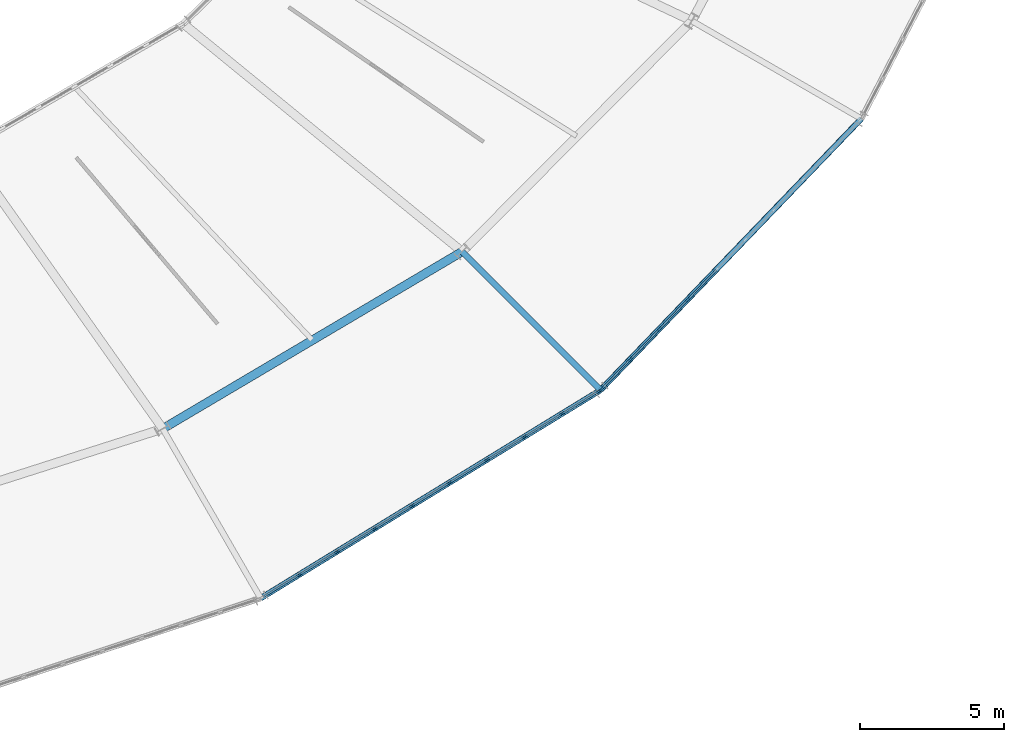
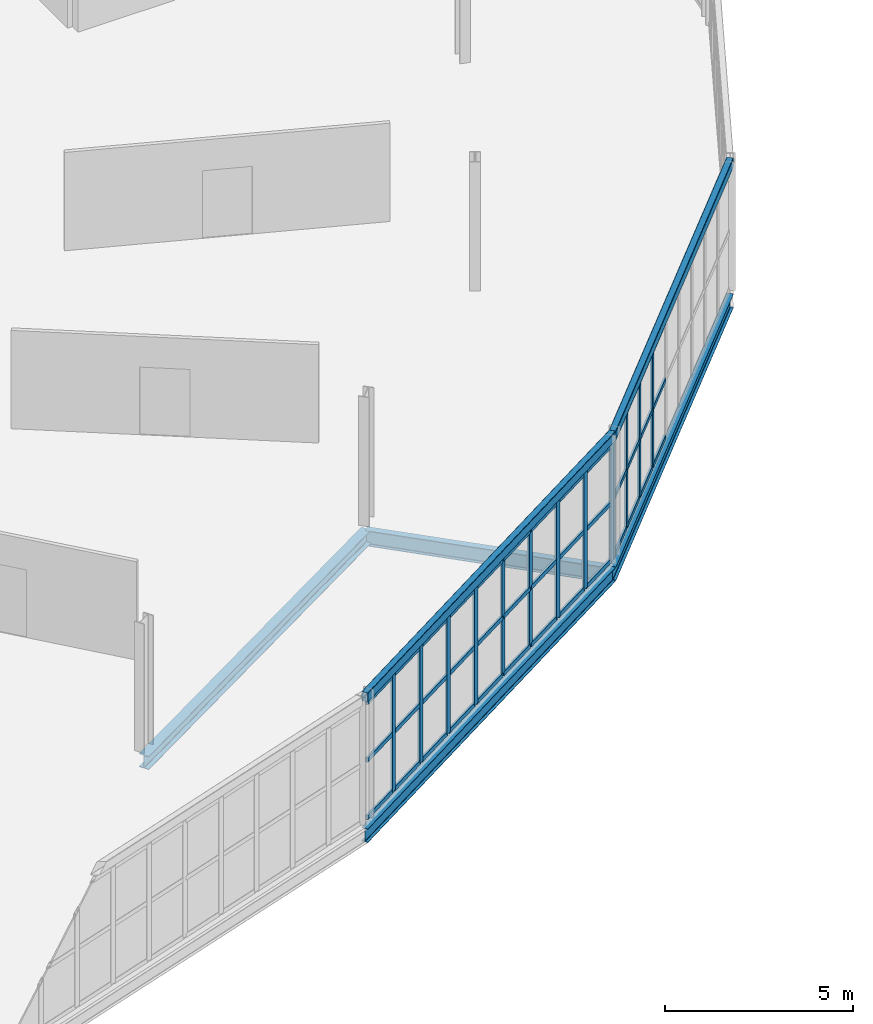
# One storey, part 73 of 161: 52 members, 6 beams, 2 elements without a shape of their own.
"""IFC4 building model written with IfcOpenShell, lengths in metres."""

import ifcopenshell
import ifcopenshell.guid

model = None  # the IFC model being written
_history = None  # IfcOwnerHistory: only IFC2X3 demands one
_inside = {}  # id of a spatial element -> (the spatial element, [elements in it])
_under = {}  # id of a project, library or spatial element -> (it, [spatial elements below it])
_declared = {}  # id of a project -> (the project, [libraries it declares])
_typed = {}  # id of a type object -> (the type object, [elements of that type])
_made_of = {}  # id of a material, layer set ... -> (it, [elements and type objects made of it])


def new_model(schema):
    """Start an empty IFC model of exactly this schema.

    Asked for "IFC4X3", IfcOpenShell would pick the latest addendum, in which some entities
    have other attributes; the version numbers below select the first issue.
    IFC2X3 requires an IfcOwnerHistory on every rooted entity: one is made here for all.
    """
    global model, _history
    if schema == "IFC4X3":
        model = ifcopenshell.file(schema_version=(4, 3, 0, 0))
    else:
        model = ifcopenshell.file(schema=schema)
    _inside.clear()
    _under.clear()
    _declared.clear()
    _typed.clear()
    _made_of.clear()
    _history = None
    if model.schema == "IFC2X3":
        org = make("IfcOrganization", Name="unknown")
        user = make(
            "IfcPersonAndOrganization",
            ThePerson=make("IfcPerson", FamilyName="unknown"),
            TheOrganization=org,
        )
        app = make(
            "IfcApplication",
            ApplicationDeveloper=org,
            Version="unknown",
            ApplicationFullName="unknown",
            ApplicationIdentifier="unknown",
        )
        _history = make(
            "IfcOwnerHistory",
            OwningUser=user,
            OwningApplication=app,
            ChangeAction="ADDED",
            CreationDate=0,
        )
    return model


def make(cls, **values):
    """One entity of the class cls with the attributes given. An attribute that is None is left unset."""
    return model.create_entity(
        cls, **{name: value for name, value in values.items() if value is not None}
    )


def rooted(cls, **values):
    """An entity with a GlobalId (a new one), such as an element, a storey or a relation."""
    return make(cls, GlobalId=ifcopenshell.guid.new(), OwnerHistory=_history, **values)


def si_unit(unit_type, name, prefix=None):
    """IfcSIUnit, for example si_unit("LENGTHUNIT", "METRE", prefix="MILLI")."""
    return make("IfcSIUnit", UnitType=unit_type, Prefix=prefix, Name=name)


def assignment(units):
    """IfcUnitAssignment: the units of a project."""
    return None if units is None else make("IfcUnitAssignment", Units=units)


def point(xyz):
    """IfcCartesianPoint."""
    return None if xyz is None else make("IfcCartesianPoint", Coordinates=xyz)


def direction(xyz):
    """IfcDirection."""
    return None if xyz is None else make("IfcDirection", DirectionRatios=xyz)


def frame(location, z_axis=None, x_axis=None):
    """IfcAxis2Placement3D, a coordinate frame: its origin and axes. An axis left out is left unset."""
    return make(
        "IfcAxis2Placement3D",
        Location=point(location),
        Axis=direction(z_axis),
        RefDirection=direction(x_axis),
    )


def frame_2d(location, x_axis=None):
    """IfcAxis2Placement2D, a coordinate frame in the plane: its origin and x axis."""
    return make(
        "IfcAxis2Placement2D", Location=point(location), RefDirection=direction(x_axis)
    )


def origin():
    """The frame at (0, 0, 0) with its axes left unset."""
    return frame((0.0, 0.0, 0.0))


def origin_2d():
    """The frame at (0, 0) in the plane with its x axis left unset."""
    return frame_2d((0.0, 0.0))


def place(relative_to, where):
    """IfcLocalPlacement: puts the frame where relative to a parent placement (None: the world)."""
    return make(
        "IfcLocalPlacement", PlacementRelTo=relative_to, RelativePlacement=where
    )


def context(
    kind, dimensions, precision=None, world=None, true_north=None, identifier=None
):
    """IfcGeometricRepresentationContext, for example the 3D "Model" context."""
    return make(
        "IfcGeometricRepresentationContext",
        ContextIdentifier=identifier,
        ContextType=kind,
        CoordinateSpaceDimension=dimensions,
        Precision=precision,
        WorldCoordinateSystem=world,
        TrueNorth=true_north,
    )


def subcontext(parent, identifier, kind, view, scale=None):
    """IfcGeometricRepresentationSubContext, for example "Body" below "Model"."""
    return make(
        "IfcGeometricRepresentationSubContext",
        ContextIdentifier=identifier,
        ContextType=kind,
        ParentContext=parent,
        TargetScale=scale,
        TargetView=view,
    )


def project(units=None, contexts=None):
    """IfcProject with its units and contexts."""
    return rooted(
        "IfcProject",
        Name="project",
        RepresentationContexts=contexts,
        UnitsInContext=assignment(units),
    )


def spatial(cls, under=None, at=None, **own):
    """A site, building, storey or space (cls), placed at a placement, below another one or the project."""
    s = rooted(cls, ObjectPlacement=at, **own)
    if under is not None:
        _under.setdefault(under.id(), (under, []))[1].append(s)
    return s


def profile(cls, at=None, kind="AREA", **sizes):
    """A parametric profile (cls). Its sizes go by their IFC names, for example OverallWidth=200.0."""
    return make(cls, ProfileType=kind, Position=at, **sizes)


def rectangle(**sizes):
    """IfcRectangleProfileDef."""
    return profile("IfcRectangleProfileDef", **sizes)


def hollow_rectangle(**sizes):
    """IfcRectangleHollowProfileDef."""
    return profile("IfcRectangleHollowProfileDef", **sizes)


def i_section(**sizes):
    """IfcIShapeProfileDef."""
    return profile("IfcIShapeProfileDef", **sizes)


def extrude(swept, where, along, depth):
    """IfcExtrudedAreaSolid: the profile swept, set in the frame where, extruded along a direction by depth."""
    return make(
        "IfcExtrudedAreaSolid",
        SweptArea=swept,
        Position=where,
        ExtrudedDirection=direction(along),
        Depth=depth,
    )


def shape(context_of_items, identifier, shape_type, items):
    """IfcShapeRepresentation: the items that make up one representation, for example the "Body"."""
    return make(
        "IfcShapeRepresentation",
        ContextOfItems=context_of_items,
        RepresentationIdentifier=identifier,
        RepresentationType=shape_type,
        Items=items,
    )


def material(Name=None, Category=None):
    """IfcMaterial."""
    return make("IfcMaterial", Name=Name, Category=Category)


def material_profile(
    of_material, cross_section, Name=None, Category=None, Priority=None
):
    """IfcMaterialProfile: a cross section and its material."""
    return make(
        "IfcMaterialProfile",
        Name=Name,
        Material=of_material,
        Profile=cross_section,
        Priority=Priority,
        Category=Category,
    )


def profile_set(profiles, Name=None, composite=None):
    """IfcMaterialProfileSet."""
    return make(
        "IfcMaterialProfileSet",
        Name=Name,
        MaterialProfiles=profiles,
        CompositeProfile=composite,
    )


def made_of(thing, what):
    """Note that an element or type object is made of a material, layer set ...; save() writes the relation."""
    if what is not None:
        _made_of.setdefault(what.id(), (what, []))[1].append(thing)
    return thing


def type_object(cls, material=None, **own):
    """A type object (cls), such as IfcWallType, which elements share."""
    return made_of(rooted(cls, **own), material)


def element(
    cls,
    number,
    at=None,
    inside=None,
    cuts=None,
    type_object=None,
    material=None,
    context=None,
    identifier="Body",
    shape_type=None,
    held_by="IfcProductDefinitionShape",
    body=None,
    shapes=None,
    **own,
):
    """One element of the class cls, such as IfcWall. Its Tag is "e" and its number.

    at: its placement. inside: the storey or other place that contains it. cuts: it is an
    opening in that element (IfcRelVoidsElement). A single representation is given by context,
    identifier, shape_type and body (its items); several are given by shapes. held_by: the class
    of the entity that holds the representations. save() writes the other relations.
    """
    e = rooted(cls, Tag="e%d" % number, ObjectPlacement=at, **own)
    if body is not None:
        shapes = [shape(context, identifier, shape_type, body)]
    if shapes is not None:
        e.Representation = make(held_by, Representations=shapes)
    if inside is not None:
        _inside.setdefault(inside.id(), (inside, []))[1].append(e)
    if cuts is not None:
        rooted(
            "IfcRelVoidsElement", RelatingBuildingElement=cuts, RelatedOpeningElement=e
        )
    if type_object is not None:
        _typed.setdefault(type_object.id(), (type_object, []))[1].append(e)
    return made_of(e, material)


def aggregate(whole, parts):
    """IfcRelAggregates: a whole, such as a stair, and the parts it consists of."""
    return rooted("IfcRelAggregates", RelatingObject=whole, RelatedObjects=parts)


def save(model, path):
    """Write the relations noted so far, then the file.

    IfcRelAggregates (storeys below a building ...), IfcRelContainedInSpatialStructure (elements
    in a storey), IfcRelDefinesByType, IfcRelAssociatesMaterial and IfcRelDeclares: one each for
    every whole, place, type object, material and project.
    """
    for whole, parts in _under.values():
        aggregate(whole, parts)
    for where, things in _inside.values():
        rooted(
            "IfcRelContainedInSpatialStructure",
            RelatedElements=things,
            RelatingStructure=where,
        )
    for kind, things in _typed.values():
        rooted("IfcRelDefinesByType", RelatedObjects=things, RelatingType=kind)
    for what, things in _made_of.values():
        rooted("IfcRelAssociatesMaterial", RelatedObjects=things, RelatingMaterial=what)
    for by, libraries in _declared.values():
        rooted("IfcRelDeclares", RelatingContext=by, RelatedDefinitions=libraries)
    model.write(path)


model = new_model("IFC4")

# Units and contexts
model_context = context("Model", 3, precision=1e-05, world=origin(), true_north=direction((0.0, 1.0)))
body_context = subcontext(model_context, "Body", "Model", "MODEL_VIEW")
ifc_project = project(units=[si_unit("LENGTHUNIT", "METRE"), si_unit("AREAUNIT", "SQUARE_METRE"), si_unit("VOLUMEUNIT", "CUBIC_METRE"), si_unit("PLANEANGLEUNIT", "RADIAN"), si_unit("MASSUNIT", "GRAM", prefix="KILO")], contexts=[model_context])

# Site, building, storey
site_placement = place(None, origin())
site = spatial("IfcSite", under=ifc_project, at=site_placement, CompositionType="ELEMENT")
building_placement = place(site_placement, origin())
building = spatial("IfcBuilding", under=site, at=building_placement, Name="Kildeholm Park Wholesale Market", CompositionType="ELEMENT")
storey_placement = place(building_placement, frame((0.0, 0.0, 5.39990234375)))
storey = spatial("IfcBuildingStorey", under=building, at=storey_placement, Name="L01", CompositionType="ELEMENT", Elevation=5.39990234375)

# Beams
ifc_material_1 = material(Name="Steel S355", Category="steel")
ifc_material_profile_1 = material_profile(ifc_material_1, i_section(OverallWidth=0.18994140625, OverallDepth=0.449951171875, WebThickness=0.009521484375, FlangeThickness=0.0146484375, FilletRadius=0.02099609375, at=origin_2d()), Name="IPE 450")
ifc_profile_set_1 = profile_set([ifc_material_profile_1], Name="Steel S355")
beam_type_1 = type_object("IfcBeamType", Name="Beam B-P02 IPE 450", PredefinedType="BEAM", material=ifc_profile_set_1)
beam_1_placement = place(storey_placement, frame((127.5, 50.095947265625, -0.474853515625), z_axis=(0.852740373682, 0.522335002745, 0.0), x_axis=(-0.522335002745, 0.852740373682, 0.0)))
element("IfcBeam", 1, at=beam_1_placement, inside=storey, type_object=beam_type_1, Name="Beam BM-V1-L01-CO-20 BM-0186", PredefinedType="BEAM", context=body_context, shape_type="SweptSolid", body=[
    extrude(i_section(OverallWidth=0.18994140625, OverallDepth=0.449951171875, WebThickness=0.009521484375, FlangeThickness=0.0146484375, FilletRadius=0.02099609375, at=origin_2d()), origin(), (0.0, 0.0, 1.0), 13.843505859375),
])
beam_2_placement = place(storey_placement, frame((139.304931640625, 57.326904296875, -0.474853515625), z_axis=(0.693006803532, 0.720931044039, 0.0), x_axis=(-0.720931044039, 0.693006803532, 0.0)))
element("IfcBeam", 2, at=beam_2_placement, inside=storey, type_object=beam_type_1, Name="Beam BM-V1-L01-CO-21 BM-0196", PredefinedType="BEAM", context=body_context, shape_type="SweptSolid", body=[
    extrude(i_section(OverallWidth=0.18994140625, OverallDepth=0.449951171875, WebThickness=0.009521484375, FlangeThickness=0.0146484375, FilletRadius=0.02099609375, at=origin_2d()), origin(), (0.0, 0.0, 1.0), 13.07080078125),
])
ifc_material_profile_2 = material_profile(ifc_material_1, i_section(OverallWidth=0.199951171875, OverallDepth=0.5, WebThickness=0.01025390625, FlangeThickness=0.01611328125, FilletRadius=0.02099609375, at=origin_2d()), Name="IPE 500")
ifc_profile_set_2 = profile_set([ifc_material_profile_2], Name="Steel S355")
beam_type_2 = type_object("IfcBeamType", Name="Beam B-P03 IPE 500", PredefinedType="BEAM", material=ifc_profile_set_2)
beam_3_placement = place(storey_placement, frame((134.4970703125, 62.135009765625, -0.5), z_axis=(0.707088828163, -0.707124733755, 0.0), x_axis=(0.707124733755, 0.707088828163, 0.0)))
element("IfcBeam", 3, at=beam_3_placement, inside=storey, type_object=beam_type_2, Name="Beam BM-V1-L01-R2-21 BM-0193", PredefinedType="BEAM", context=body_context, shape_type="SweptSolid", body=[
    extrude(i_section(OverallWidth=0.199951171875, OverallDepth=0.5, WebThickness=0.01025390625, FlangeThickness=0.01611328125, FilletRadius=0.02099609375, at=origin_2d()), origin(), (0.0, 0.0, 1.0), 6.799560546875),
])
ifc_material_profile_3 = material_profile(ifc_material_1, i_section(OverallWidth=0.300048828125, OverallDepth=0.43994140625, WebThickness=0.011474609375, FlangeThickness=0.02099609375, FilletRadius=0.027099609375, at=origin_2d()), Name="HEA 450")
ifc_profile_set_3 = profile_set([ifc_material_profile_3], Name="Steel S355")
beam_type_3 = type_object("IfcBeamType", Name="Beam B-R02 HEA 450", PredefinedType="BEAM", material=ifc_profile_set_3)
beam_4_placement = place(storey_placement, frame((124.10009765625, 55.985107421875, -0.469970703125), z_axis=(0.860700316594, 0.509111937609, 0.0), x_axis=(-0.509111937609, 0.860700316594, 0.0)))
element("IfcBeam", 4, at=beam_4_placement, inside=storey, type_object=beam_type_3, Name="Beam BM-V1-L01-CM-20 BM-0185", PredefinedType="BEAM", context=body_context, shape_type="SweptSolid", body=[
    extrude(i_section(OverallWidth=0.300048828125, OverallDepth=0.43994140625, WebThickness=0.011474609375, FlangeThickness=0.02099609375, FilletRadius=0.027099609375, at=origin_2d()), origin(), (0.0, 0.0, 1.0), 12.07958984375),
])
ifc_material_profile_4 = material_profile(ifc_material_1, hollow_rectangle(XDim=0.199951171875, YDim=0.300048828125, WallThickness=0.012451171875, InnerFilletRadius=0.012451171875, OuterFilletRadius=0.02490234375, at=origin_2d()), Name="RHS 300x200x12.5")
ifc_profile_set_4 = profile_set([ifc_material_profile_4], Name="Steel S355")
beam_type_4 = type_object("IfcBeamType", Name="Beam SP-01 RHS 300x200x12.5", PredefinedType="SPANDREL", material=ifc_profile_set_4)
beam_5_placement = place(storey_placement, frame((127.5, 50.095947265625, 4.022705078125), z_axis=(0.852740373682, 0.522335002745, 0.0), x_axis=(-0.522335002745, 0.852740373682, 0.0)))
element("IfcBeam", 5, at=beam_5_placement, inside=storey, type_object=beam_type_4, Name="Beam SP-V1-EAV-20 BM-0340", PredefinedType="SPANDREL", context=body_context, shape_type="SweptSolid", body=[
    extrude(hollow_rectangle(XDim=0.199951171875, YDim=0.300048828125, WallThickness=0.012451171875, InnerFilletRadius=0.012451171875, OuterFilletRadius=0.02490234375, at=origin_2d()), origin(), (0.0, 0.0, 1.0), 13.843505859375),
])
beam_6_placement = place(storey_placement, frame((139.304931640625, 57.326904296875, 4.022705078125), z_axis=(0.693006803532, 0.720931044039, 0.0), x_axis=(-0.720931044039, 0.693006803532, 0.0)))
element("IfcBeam", 6, at=beam_6_placement, inside=storey, type_object=beam_type_4, Name="Beam SP-V1-EAV-21 BM-0346", PredefinedType="SPANDREL", context=body_context, shape_type="SweptSolid", body=[
    extrude(hollow_rectangle(XDim=0.199951171875, YDim=0.300048828125, WallThickness=0.012451171875, InnerFilletRadius=0.012451171875, OuterFilletRadius=0.02490234375, at=origin_2d()), origin(), (0.0, 0.0, 1.0), 13.07080078125),
])

# Curtain wall, members
ifc_material_2 = material(Name="Anodised aluminium and low-E double-glazed glass", Category="aluminium")
curtain_wall_type = type_object("IfcCurtainWallType", Name="Market hall glazed arcade stick curtain wall CW-01", PredefinedType="NOTDEFINED", material=ifc_material_2)
curtain_wall_1_placement = place(storey_placement, origin())
curtain_wall_1 = element("IfcCurtainWall", 7, at=curtain_wall_1_placement, inside=storey, type_object=curtain_wall_type, Name="Curtain wall CW-V1-OT-20-1 CW-0099", PredefinedType="NOTDEFINED")
ifc_material_3 = material(Name="Anodised aluminium", Category="aluminium")
ifc_material_profile_5 = material_profile(ifc_material_3, rectangle(XDim=0.06494140625, YDim=0.179931640625, at=origin_2d()), Name="CWM 65x180")
ifc_profile_set_5 = profile_set([ifc_material_profile_5], Name="Anodised aluminium")
member_type_1 = type_object("IfcMemberType", Name="Curtain-wall mullion CWM-1 CWM 65x180", PredefinedType="MULLION", material=ifc_profile_set_5)
member_1_placement = place(storey_placement, frame((128.84130859375, 50.911865234375, 0.0), z_axis=(0.0, 0.0, 1.0), x_axis=(-0.522284342695, 0.852771402766, 0.0)))
member_1 = element("IfcMember", 8, at=member_1_placement, type_object=member_type_1, Name="CW-01 mullion 2 MEM-3125", PredefinedType="MULLION", context=body_context, shape_type="SweptSolid", body=[
    extrude(rectangle(XDim=0.06494140625, YDim=0.179931640625, at=origin_2d()), origin(), (0.0, 0.0, 1.0), 3.800048828125),
])
member_2_placement = place(storey_placement, frame((130.1455078125, 51.71044921875, 0.0), z_axis=(0.0, 0.0, 1.0), x_axis=(-0.522284342695, 0.852771402766, 0.0)))
member_2 = element("IfcMember", 9, at=member_2_placement, type_object=member_type_1, Name="CW-01 mullion 3 MEM-3126", PredefinedType="MULLION", context=body_context, shape_type="SweptSolid", body=[
    extrude(rectangle(XDim=0.06494140625, YDim=0.179931640625, at=origin_2d()), origin(), (0.0, 0.0, 1.0), 3.800048828125),
])
member_3_placement = place(storey_placement, frame((131.44970703125, 52.50927734375, 0.0), z_axis=(0.0, 0.0, 1.0), x_axis=(-0.522284342695, 0.852771402766, 0.0)))
member_3 = element("IfcMember", 10, at=member_3_placement, type_object=member_type_1, Name="CW-01 mullion 4 MEM-3127", PredefinedType="MULLION", context=body_context, shape_type="SweptSolid", body=[
    extrude(rectangle(XDim=0.06494140625, YDim=0.179931640625, at=origin_2d()), origin(), (0.0, 0.0, 1.0), 3.800048828125),
])
member_4_placement = place(storey_placement, frame((132.75390625, 53.30810546875, 0.0), z_axis=(0.0, 0.0, 1.0), x_axis=(-0.522284342695, 0.852771402766, 0.0)))
member_4 = element("IfcMember", 11, at=member_4_placement, type_object=member_type_1, Name="CW-01 mullion 5 MEM-3128", PredefinedType="MULLION", context=body_context, shape_type="SweptSolid", body=[
    extrude(rectangle(XDim=0.06494140625, YDim=0.179931640625, at=origin_2d()), origin(), (0.0, 0.0, 1.0), 3.800048828125),
])
member_5_placement = place(storey_placement, frame((134.05810546875, 54.10693359375, 0.0), z_axis=(0.0, 0.0, 1.0), x_axis=(-0.522284342695, 0.852771402766, 0.0)))
member_5 = element("IfcMember", 12, at=member_5_placement, type_object=member_type_1, Name="CW-01 mullion 6 MEM-3129", PredefinedType="MULLION", context=body_context, shape_type="SweptSolid", body=[
    extrude(rectangle(XDim=0.06494140625, YDim=0.179931640625, at=origin_2d()), origin(), (0.0, 0.0, 1.0), 3.800048828125),
])
member_6_placement = place(storey_placement, frame((135.3623046875, 54.90576171875, 0.0), z_axis=(0.0, 0.0, 1.0), x_axis=(-0.522284342695, 0.852771402766, 0.0)))
member_6 = element("IfcMember", 13, at=member_6_placement, type_object=member_type_1, Name="CW-01 mullion 7 MEM-3130", PredefinedType="MULLION", context=body_context, shape_type="SweptSolid", body=[
    extrude(rectangle(XDim=0.06494140625, YDim=0.179931640625, at=origin_2d()), origin(), (0.0, 0.0, 1.0), 3.800048828125),
])
member_7_placement = place(storey_placement, frame((136.66650390625, 55.704345703125, 0.0), z_axis=(0.0, 0.0, 1.0), x_axis=(-0.522284342695, 0.852771402766, 0.0)))
member_7 = element("IfcMember", 14, at=member_7_placement, type_object=member_type_1, Name="CW-01 mullion 8 MEM-3131", PredefinedType="MULLION", context=body_context, shape_type="SweptSolid", body=[
    extrude(rectangle(XDim=0.06494140625, YDim=0.179931640625, at=origin_2d()), origin(), (0.0, 0.0, 1.0), 3.800048828125),
])
member_8_placement = place(storey_placement, frame((137.970703125, 56.503173828125, 0.0), z_axis=(0.0, 0.0, 1.0), x_axis=(-0.522284342695, 0.852771402766, 0.0)))
member_8 = element("IfcMember", 15, at=member_8_placement, type_object=member_type_1, Name="CW-01 mullion 9 MEM-3132", PredefinedType="MULLION", context=body_context, shape_type="SweptSolid", body=[
    extrude(rectangle(XDim=0.06494140625, YDim=0.179931640625, at=origin_2d()), origin(), (0.0, 0.0, 1.0), 3.800048828125),
])
member_9_placement = place(storey_placement, frame((139.247314453125, 57.284912109375, 0.0), z_axis=(0.0, 0.0, 1.0), x_axis=(-0.522284342695, 0.852771402766, 0.0)))
member_9 = element("IfcMember", 16, at=member_9_placement, type_object=member_type_1, Name="CW-01 mullion 10 MEM-3133", PredefinedType="MULLION", context=body_context, shape_type="SweptSolid", body=[
    extrude(rectangle(XDim=0.06494140625, YDim=0.179931640625, at=origin_2d()), origin(), (0.0, 0.0, 1.0), 3.800048828125),
])

curtain_wall_2_placement = place(storey_placement, origin())
curtain_wall_2 = element("IfcCurtainWall", 17, at=curtain_wall_2_placement, inside=storey, type_object=curtain_wall_type, Name="Curtain wall CW-V1-OT-21-1 CW-0104", PredefinedType="NOTDEFINED")
member_10_placement = place(storey_placement, frame((139.359619140625, 57.37548828125, 0.0), z_axis=(0.0, 0.0, 1.0), x_axis=(-0.720901097951, 0.69303795493, 0.0)))
member_10 = element("IfcMember", 18, at=member_10_placement, type_object=member_type_1, Name="CW-01 mullion 1 MEM-3269", PredefinedType="MULLION", context=body_context, shape_type="SweptSolid", body=[
    extrude(rectangle(XDim=0.06494140625, YDim=0.179931640625, at=origin_2d()), origin(), (0.0, 0.0, 1.0), 3.800048828125),
])
member_11_placement = place(storey_placement, frame((140.33740234375, 58.392578125, 0.0), z_axis=(0.0, 0.0, 1.0), x_axis=(-0.720901097951, 0.69303795493, 0.0)))
member_11 = element("IfcMember", 19, at=member_11_placement, type_object=member_type_1, Name="CW-01 mullion 2 MEM-3270", PredefinedType="MULLION", context=body_context, shape_type="SweptSolid", body=[
    extrude(rectangle(XDim=0.06494140625, YDim=0.179931640625, at=origin_2d()), origin(), (0.0, 0.0, 1.0), 3.800048828125),
])
member_12_placement = place(storey_placement, frame((141.337890625, 59.433349609375, 0.0), z_axis=(0.0, 0.0, 1.0), x_axis=(-0.720901097951, 0.69303795493, 0.0)))
member_12 = element("IfcMember", 20, at=member_12_placement, type_object=member_type_1, Name="CW-01 mullion 3 MEM-3271", PredefinedType="MULLION", context=body_context, shape_type="SweptSolid", body=[
    extrude(rectangle(XDim=0.06494140625, YDim=0.179931640625, at=origin_2d()), origin(), (0.0, 0.0, 1.0), 3.800048828125),
])
member_13_placement = place(storey_placement, frame((142.33837890625, 60.47412109375, 0.0), z_axis=(0.0, 0.0, 1.0), x_axis=(-0.720901097951, 0.69303795493, 0.0)))
member_13 = element("IfcMember", 21, at=member_13_placement, type_object=member_type_1, Name="CW-01 mullion 4 MEM-3272", PredefinedType="MULLION", context=body_context, shape_type="SweptSolid", body=[
    extrude(rectangle(XDim=0.06494140625, YDim=0.179931640625, at=origin_2d()), origin(), (0.0, 0.0, 1.0), 3.800048828125),
])

# Member
ifc_material_profile_6 = material_profile(ifc_material_3, rectangle(XDim=0.06494140625, YDim=0.139892578125, at=origin_2d()), Name="CWT 65x140")
ifc_profile_set_6 = profile_set([ifc_material_profile_6], Name="Anodised aluminium")
member_type_2 = type_object("IfcMemberType", Name="Curtain-wall transom CWT-1 CWT 65x140", PredefinedType="USERDEFINED", material=ifc_profile_set_6)
member_14_placement = place(storey_placement, frame((127.592529296875, 50.14697265625, 0.03271484375), z_axis=(0.85276295906, 0.522298129094, 0.0), x_axis=(-0.522298129094, 0.85276295906, 0.0)))
member_14 = element("IfcMember", 22, at=member_14_placement, type_object=member_type_2, Name="CW-01 transom 1.1 MEM-3134", ObjectType="TRANSOM", PredefinedType="USERDEFINED", context=body_context, shape_type="SweptSolid", body=[
    extrude(rectangle(XDim=0.06494140625, YDim=0.139892578125, at=origin_2d()), origin(), (0.0, 0.0, 1.0), 1.431640625),
])

member_15_placement = place(storey_placement, frame((127.592529296875, 50.14697265625, 1.900146484375), z_axis=(0.85276295906, 0.522298129094, 0.0), x_axis=(-0.522298129094, 0.85276295906, 0.0)))
member_15 = element("IfcMember", 23, at=member_15_placement, type_object=member_type_2, Name="CW-01 transom 1.2 MEM-3135", ObjectType="TRANSOM", PredefinedType="USERDEFINED", context=body_context, shape_type="SweptSolid", body=[
    extrude(rectangle(XDim=0.06494140625, YDim=0.139892578125, at=origin_2d()), origin(), (0.0, 0.0, 1.0), 1.431640625),
])

member_16_placement = place(storey_placement, frame((127.592529296875, 50.14697265625, 3.767578125), z_axis=(0.85276295906, 0.522298129094, 0.0), x_axis=(-0.522298129094, 0.85276295906, 0.0)))
member_16 = element("IfcMember", 24, at=member_16_placement, type_object=member_type_2, Name="CW-01 transom 1.3 MEM-3136", ObjectType="TRANSOM", PredefinedType="USERDEFINED", context=body_context, shape_type="SweptSolid", body=[
    extrude(rectangle(XDim=0.06494140625, YDim=0.139892578125, at=origin_2d()), origin(), (0.0, 0.0, 1.0), 1.431640625),
])

member_17_placement = place(storey_placement, frame((128.868896484375, 50.9287109375, 0.03271484375), z_axis=(0.852749773826, 0.522319656187, 0.0), x_axis=(-0.522319656187, 0.852749773826, 0.0)))
member_17 = element("IfcMember", 25, at=member_17_placement, type_object=member_type_2, Name="CW-01 transom 2.1 MEM-3137", ObjectType="TRANSOM", PredefinedType="USERDEFINED", context=body_context, shape_type="SweptSolid", body=[
    extrude(rectangle(XDim=0.06494140625, YDim=0.139892578125, at=origin_2d()), origin(), (0.0, 0.0, 1.0), 1.46435546875),
])

member_18_placement = place(storey_placement, frame((128.868896484375, 50.9287109375, 1.900146484375), z_axis=(0.852749773826, 0.522319656187, 0.0), x_axis=(-0.522319656187, 0.852749773826, 0.0)))
member_18 = element("IfcMember", 26, at=member_18_placement, type_object=member_type_2, Name="CW-01 transom 2.2 MEM-3138", ObjectType="TRANSOM", PredefinedType="USERDEFINED", context=body_context, shape_type="SweptSolid", body=[
    extrude(rectangle(XDim=0.06494140625, YDim=0.139892578125, at=origin_2d()), origin(), (0.0, 0.0, 1.0), 1.46435546875),
])

member_19_placement = place(storey_placement, frame((128.868896484375, 50.9287109375, 3.767578125), z_axis=(0.852749773826, 0.522319656187, 0.0), x_axis=(-0.522319656187, 0.852749773826, 0.0)))
member_19 = element("IfcMember", 27, at=member_19_placement, type_object=member_type_2, Name="CW-01 transom 2.3 MEM-3139", ObjectType="TRANSOM", PredefinedType="USERDEFINED", context=body_context, shape_type="SweptSolid", body=[
    extrude(rectangle(XDim=0.06494140625, YDim=0.139892578125, at=origin_2d()), origin(), (0.0, 0.0, 1.0), 1.46435546875),
])

member_20_placement = place(storey_placement, frame((130.173095703125, 51.7275390625, 0.03271484375), z_axis=(0.852749773826, 0.522319656187, 0.0), x_axis=(-0.522319656187, 0.852749773826, 0.0)))
member_20 = element("IfcMember", 28, at=member_20_placement, type_object=member_type_2, Name="CW-01 transom 3.1 MEM-3140", ObjectType="TRANSOM", PredefinedType="USERDEFINED", context=body_context, shape_type="SweptSolid", body=[
    extrude(rectangle(XDim=0.06494140625, YDim=0.139892578125, at=origin_2d()), origin(), (0.0, 0.0, 1.0), 1.46435546875),
])

member_21_placement = place(storey_placement, frame((130.173095703125, 51.7275390625, 1.900146484375), z_axis=(0.852749773826, 0.522319656187, 0.0), x_axis=(-0.522319656187, 0.852749773826, 0.0)))
member_21 = element("IfcMember", 29, at=member_21_placement, type_object=member_type_2, Name="CW-01 transom 3.2 MEM-3141", ObjectType="TRANSOM", PredefinedType="USERDEFINED", context=body_context, shape_type="SweptSolid", body=[
    extrude(rectangle(XDim=0.06494140625, YDim=0.139892578125, at=origin_2d()), origin(), (0.0, 0.0, 1.0), 1.46435546875),
])

member_22_placement = place(storey_placement, frame((130.173095703125, 51.7275390625, 3.767578125), z_axis=(0.852749773826, 0.522319656187, 0.0), x_axis=(-0.522319656187, 0.852749773826, 0.0)))
member_22 = element("IfcMember", 30, at=member_22_placement, type_object=member_type_2, Name="CW-01 transom 3.3 MEM-3142", ObjectType="TRANSOM", PredefinedType="USERDEFINED", context=body_context, shape_type="SweptSolid", body=[
    extrude(rectangle(XDim=0.06494140625, YDim=0.139892578125, at=origin_2d()), origin(), (0.0, 0.0, 1.0), 1.46435546875),
])

member_23_placement = place(storey_placement, frame((131.477294921875, 52.5263671875, 0.03271484375), z_axis=(0.852824028084, 0.522198407812, 0.0), x_axis=(-0.522198407812, 0.852824028084, 0.0)))
member_23 = element("IfcMember", 31, at=member_23_placement, type_object=member_type_2, Name="CW-01 transom 4.1 MEM-3143", ObjectType="TRANSOM", PredefinedType="USERDEFINED", context=body_context, shape_type="SweptSolid", body=[
    extrude(rectangle(XDim=0.06494140625, YDim=0.139892578125, at=origin_2d()), origin(), (0.0, 0.0, 1.0), 1.46435546875),
])

member_24_placement = place(storey_placement, frame((131.477294921875, 52.5263671875, 1.900146484375), z_axis=(0.852824028084, 0.522198407812, 0.0), x_axis=(-0.522198407812, 0.852824028084, 0.0)))
member_24 = element("IfcMember", 32, at=member_24_placement, type_object=member_type_2, Name="CW-01 transom 4.2 MEM-3144", ObjectType="TRANSOM", PredefinedType="USERDEFINED", context=body_context, shape_type="SweptSolid", body=[
    extrude(rectangle(XDim=0.06494140625, YDim=0.139892578125, at=origin_2d()), origin(), (0.0, 0.0, 1.0), 1.46435546875),
])

member_25_placement = place(storey_placement, frame((131.477294921875, 52.5263671875, 3.767578125), z_axis=(0.852824028084, 0.522198407812, 0.0), x_axis=(-0.522198407812, 0.852824028084, 0.0)))
member_25 = element("IfcMember", 33, at=member_25_placement, type_object=member_type_2, Name="CW-01 transom 4.3 MEM-3145", ObjectType="TRANSOM", PredefinedType="USERDEFINED", context=body_context, shape_type="SweptSolid", body=[
    extrude(rectangle(XDim=0.06494140625, YDim=0.139892578125, at=origin_2d()), origin(), (0.0, 0.0, 1.0), 1.46435546875),
])

member_26_placement = place(storey_placement, frame((132.781494140625, 53.3251953125, 0.03271484375), z_axis=(0.852869484193, 0.522124164287, 0.0), x_axis=(-0.522124164287, 0.852869484193, 0.0)))
member_26 = element("IfcMember", 34, at=member_26_placement, type_object=member_type_2, Name="CW-01 transom 5.1 MEM-3146", ObjectType="TRANSOM", PredefinedType="USERDEFINED", context=body_context, shape_type="SweptSolid", body=[
    extrude(rectangle(XDim=0.06494140625, YDim=0.139892578125, at=origin_2d()), origin(), (0.0, 0.0, 1.0), 1.464599609375),
])

member_27_placement = place(storey_placement, frame((132.781494140625, 53.3251953125, 1.900146484375), z_axis=(0.852869484193, 0.522124164287, 0.0), x_axis=(-0.522124164287, 0.852869484193, 0.0)))
member_27 = element("IfcMember", 35, at=member_27_placement, type_object=member_type_2, Name="CW-01 transom 5.2 MEM-3147", ObjectType="TRANSOM", PredefinedType="USERDEFINED", context=body_context, shape_type="SweptSolid", body=[
    extrude(rectangle(XDim=0.06494140625, YDim=0.139892578125, at=origin_2d()), origin(), (0.0, 0.0, 1.0), 1.464599609375),
])

member_28_placement = place(storey_placement, frame((132.781494140625, 53.3251953125, 3.767578125), z_axis=(0.852869484193, 0.522124164287, 0.0), x_axis=(-0.522124164287, 0.852869484193, 0.0)))
member_28 = element("IfcMember", 36, at=member_28_placement, type_object=member_type_2, Name="CW-01 transom 5.3 MEM-3148", ObjectType="TRANSOM", PredefinedType="USERDEFINED", context=body_context, shape_type="SweptSolid", body=[
    extrude(rectangle(XDim=0.06494140625, YDim=0.139892578125, at=origin_2d()), origin(), (0.0, 0.0, 1.0), 1.464599609375),
])

member_29_placement = place(storey_placement, frame((134.0859375, 54.123779296875, 0.03271484375), z_axis=(0.852749773826, 0.522319656187, 0.0), x_axis=(-0.522319656187, 0.852749773826, 0.0)))
member_29 = element("IfcMember", 37, at=member_29_placement, type_object=member_type_2, Name="CW-01 transom 6.1 MEM-3149", ObjectType="TRANSOM", PredefinedType="USERDEFINED", context=body_context, shape_type="SweptSolid", body=[
    extrude(rectangle(XDim=0.06494140625, YDim=0.139892578125, at=origin_2d()), origin(), (0.0, 0.0, 1.0), 1.46435546875),
])

member_30_placement = place(storey_placement, frame((134.0859375, 54.123779296875, 1.900146484375), z_axis=(0.852749773826, 0.522319656187, 0.0), x_axis=(-0.522319656187, 0.852749773826, 0.0)))
member_30 = element("IfcMember", 38, at=member_30_placement, type_object=member_type_2, Name="CW-01 transom 6.2 MEM-3150", ObjectType="TRANSOM", PredefinedType="USERDEFINED", context=body_context, shape_type="SweptSolid", body=[
    extrude(rectangle(XDim=0.06494140625, YDim=0.139892578125, at=origin_2d()), origin(), (0.0, 0.0, 1.0), 1.46435546875),
])

member_31_placement = place(storey_placement, frame((134.0859375, 54.123779296875, 3.767578125), z_axis=(0.852749773826, 0.522319656187, 0.0), x_axis=(-0.522319656187, 0.852749773826, 0.0)))
member_31 = element("IfcMember", 39, at=member_31_placement, type_object=member_type_2, Name="CW-01 transom 6.3 MEM-3151", ObjectType="TRANSOM", PredefinedType="USERDEFINED", context=body_context, shape_type="SweptSolid", body=[
    extrude(rectangle(XDim=0.06494140625, YDim=0.139892578125, at=origin_2d()), origin(), (0.0, 0.0, 1.0), 1.46435546875),
])

member_32_placement = place(storey_placement, frame((135.39013671875, 54.922607421875, 0.03271484375), z_axis=(0.852749773826, 0.522319656187, 0.0), x_axis=(-0.522319656187, 0.852749773826, 0.0)))
member_32 = element("IfcMember", 40, at=member_32_placement, type_object=member_type_2, Name="CW-01 transom 7.1 MEM-3152", ObjectType="TRANSOM", PredefinedType="USERDEFINED", context=body_context, shape_type="SweptSolid", body=[
    extrude(rectangle(XDim=0.06494140625, YDim=0.139892578125, at=origin_2d()), origin(), (0.0, 0.0, 1.0), 1.46435546875),
])

member_33_placement = place(storey_placement, frame((135.39013671875, 54.922607421875, 1.900146484375), z_axis=(0.852749773826, 0.522319656187, 0.0), x_axis=(-0.522319656187, 0.852749773826, 0.0)))
member_33 = element("IfcMember", 41, at=member_33_placement, type_object=member_type_2, Name="CW-01 transom 7.2 MEM-3153", ObjectType="TRANSOM", PredefinedType="USERDEFINED", context=body_context, shape_type="SweptSolid", body=[
    extrude(rectangle(XDim=0.06494140625, YDim=0.139892578125, at=origin_2d()), origin(), (0.0, 0.0, 1.0), 1.46435546875),
])

member_34_placement = place(storey_placement, frame((135.39013671875, 54.922607421875, 3.767578125), z_axis=(0.852749773826, 0.522319656187, 0.0), x_axis=(-0.522319656187, 0.852749773826, 0.0)))
member_34 = element("IfcMember", 42, at=member_34_placement, type_object=member_type_2, Name="CW-01 transom 7.3 MEM-3154", ObjectType="TRANSOM", PredefinedType="USERDEFINED", context=body_context, shape_type="SweptSolid", body=[
    extrude(rectangle(XDim=0.06494140625, YDim=0.139892578125, at=origin_2d()), origin(), (0.0, 0.0, 1.0), 1.46435546875),
])

member_35_placement = place(storey_placement, frame((136.6943359375, 55.721435546875, 0.03271484375), z_axis=(0.852749773826, 0.522319656187, 0.0), x_axis=(-0.522319656187, 0.852749773826, 0.0)))
member_35 = element("IfcMember", 43, at=member_35_placement, type_object=member_type_2, Name="CW-01 transom 8.1 MEM-3155", ObjectType="TRANSOM", PredefinedType="USERDEFINED", context=body_context, shape_type="SweptSolid", body=[
    extrude(rectangle(XDim=0.06494140625, YDim=0.139892578125, at=origin_2d()), origin(), (0.0, 0.0, 1.0), 1.46435546875),
])

member_36_placement = place(storey_placement, frame((136.6943359375, 55.721435546875, 1.900146484375), z_axis=(0.852749773826, 0.522319656187, 0.0), x_axis=(-0.522319656187, 0.852749773826, 0.0)))
member_36 = element("IfcMember", 44, at=member_36_placement, type_object=member_type_2, Name="CW-01 transom 8.2 MEM-3156", ObjectType="TRANSOM", PredefinedType="USERDEFINED", context=body_context, shape_type="SweptSolid", body=[
    extrude(rectangle(XDim=0.06494140625, YDim=0.139892578125, at=origin_2d()), origin(), (0.0, 0.0, 1.0), 1.46435546875),
])

member_37_placement = place(storey_placement, frame((136.6943359375, 55.721435546875, 3.767578125), z_axis=(0.852749773826, 0.522319656187, 0.0), x_axis=(-0.522319656187, 0.852749773826, 0.0)))
member_37 = element("IfcMember", 45, at=member_37_placement, type_object=member_type_2, Name="CW-01 transom 8.3 MEM-3157", ObjectType="TRANSOM", PredefinedType="USERDEFINED", context=body_context, shape_type="SweptSolid", body=[
    extrude(rectangle(XDim=0.06494140625, YDim=0.139892578125, at=origin_2d()), origin(), (0.0, 0.0, 1.0), 1.46435546875),
])

member_38_placement = place(storey_placement, frame((137.99853515625, 56.520263671875, 0.03271484375), z_axis=(0.85276295906, 0.522298129094, 0.0), x_axis=(-0.522298129094, 0.85276295906, 0.0)))
member_38 = element("IfcMember", 46, at=member_38_placement, type_object=member_type_2, Name="CW-01 transom 9.1 MEM-3158", ObjectType="TRANSOM", PredefinedType="USERDEFINED", context=body_context, shape_type="SweptSolid", body=[
    extrude(rectangle(XDim=0.06494140625, YDim=0.139892578125, at=origin_2d()), origin(), (0.0, 0.0, 1.0), 1.431640625),
])

member_39_placement = place(storey_placement, frame((137.99853515625, 56.520263671875, 1.900146484375), z_axis=(0.85276295906, 0.522298129094, 0.0), x_axis=(-0.522298129094, 0.85276295906, 0.0)))
member_39 = element("IfcMember", 47, at=member_39_placement, type_object=member_type_2, Name="CW-01 transom 9.2 MEM-3159", ObjectType="TRANSOM", PredefinedType="USERDEFINED", context=body_context, shape_type="SweptSolid", body=[
    extrude(rectangle(XDim=0.06494140625, YDim=0.139892578125, at=origin_2d()), origin(), (0.0, 0.0, 1.0), 1.431640625),
])

member_40_placement = place(storey_placement, frame((137.99853515625, 56.520263671875, 3.767578125), z_axis=(0.85276295906, 0.522298129094, 0.0), x_axis=(-0.522298129094, 0.85276295906, 0.0)))
member_40 = element("IfcMember", 48, at=member_40_placement, type_object=member_type_2, Name="CW-01 transom 9.3 MEM-3160", ObjectType="TRANSOM", PredefinedType="USERDEFINED", context=body_context, shape_type="SweptSolid", body=[
    extrude(rectangle(XDim=0.06494140625, YDim=0.139892578125, at=origin_2d()), origin(), (0.0, 0.0, 1.0), 1.431640625),
])

aggregate(curtain_wall_1, [member_1, member_2, member_3, member_4, member_5, member_6, member_7, member_8, member_9, member_14, member_15, member_16, member_17, member_18, member_19, member_20, member_21, member_22, member_23, member_24, member_25, member_26, member_27, member_28, member_29, member_30, member_31, member_32, member_33, member_34, member_35, member_36, member_37, member_38, member_39, member_40])

member_41_placement = place(storey_placement, frame((139.382080078125, 57.39892578125, 0.03271484375), z_axis=(0.693094216002, 0.720847007169, 0.0), x_axis=(-0.720847007169, 0.693094216002, 0.0)))
member_41 = element("IfcMember", 49, at=member_41_placement, type_object=member_type_2, Name="CW-01 transom 1.1 MEM-3279", ObjectType="TRANSOM", PredefinedType="USERDEFINED", context=body_context, shape_type="SweptSolid", body=[
    extrude(rectangle(XDim=0.06494140625, YDim=0.139892578125, at=origin_2d()), origin(), (0.0, 0.0, 1.0), 1.345947265625),
])

member_42_placement = place(storey_placement, frame((139.382080078125, 57.39892578125, 1.900146484375), z_axis=(0.693094216002, 0.720847007169, 0.0), x_axis=(-0.720847007169, 0.693094216002, 0.0)))
member_42 = element("IfcMember", 50, at=member_42_placement, type_object=member_type_2, Name="CW-01 transom 1.2 MEM-3280", ObjectType="TRANSOM", PredefinedType="USERDEFINED", context=body_context, shape_type="SweptSolid", body=[
    extrude(rectangle(XDim=0.06494140625, YDim=0.139892578125, at=origin_2d()), origin(), (0.0, 0.0, 1.0), 1.345947265625),
])

member_43_placement = place(storey_placement, frame((139.382080078125, 57.39892578125, 3.767578125), z_axis=(0.693094216002, 0.720847007169, 0.0), x_axis=(-0.720847007169, 0.693094216002, 0.0)))
member_43 = element("IfcMember", 51, at=member_43_placement, type_object=member_type_2, Name="CW-01 transom 1.3 MEM-3281", ObjectType="TRANSOM", PredefinedType="USERDEFINED", context=body_context, shape_type="SweptSolid", body=[
    extrude(rectangle(XDim=0.06494140625, YDim=0.139892578125, at=origin_2d()), origin(), (0.0, 0.0, 1.0), 1.345947265625),
])

member_44_placement = place(storey_placement, frame((140.35986328125, 58.416015625, 0.03271484375), z_axis=(0.693069788784, 0.720870493137, 0.0), x_axis=(-0.720870493137, 0.693069788784, 0.0)))
member_44 = element("IfcMember", 52, at=member_44_placement, type_object=member_type_2, Name="CW-01 transom 2.1 MEM-3282", ObjectType="TRANSOM", PredefinedType="USERDEFINED", context=body_context, shape_type="SweptSolid", body=[
    extrude(rectangle(XDim=0.06494140625, YDim=0.139892578125, at=origin_2d()), origin(), (0.0, 0.0, 1.0), 1.378662109375),
])

member_45_placement = place(storey_placement, frame((140.35986328125, 58.416015625, 1.900146484375), z_axis=(0.693069788784, 0.720870493137, 0.0), x_axis=(-0.720870493137, 0.693069788784, 0.0)))
member_45 = element("IfcMember", 53, at=member_45_placement, type_object=member_type_2, Name="CW-01 transom 2.2 MEM-3283", ObjectType="TRANSOM", PredefinedType="USERDEFINED", context=body_context, shape_type="SweptSolid", body=[
    extrude(rectangle(XDim=0.06494140625, YDim=0.139892578125, at=origin_2d()), origin(), (0.0, 0.0, 1.0), 1.378662109375),
])

member_46_placement = place(storey_placement, frame((140.35986328125, 58.416015625, 3.767578125), z_axis=(0.693069788784, 0.720870493137, 0.0), x_axis=(-0.720870493137, 0.693069788784, 0.0)))
member_46 = element("IfcMember", 54, at=member_46_placement, type_object=member_type_2, Name="CW-01 transom 2.3 MEM-3284", ObjectType="TRANSOM", PredefinedType="USERDEFINED", context=body_context, shape_type="SweptSolid", body=[
    extrude(rectangle(XDim=0.06494140625, YDim=0.139892578125, at=origin_2d()), origin(), (0.0, 0.0, 1.0), 1.378662109375),
])

member_47_placement = place(storey_placement, frame((141.3603515625, 59.456787109375, 0.03271484375), z_axis=(0.693069788784, 0.720870493137, 0.0), x_axis=(-0.720870493137, 0.693069788784, 0.0)))
member_47 = element("IfcMember", 55, at=member_47_placement, type_object=member_type_2, Name="CW-01 transom 3.1 MEM-3285", ObjectType="TRANSOM", PredefinedType="USERDEFINED", context=body_context, shape_type="SweptSolid", body=[
    extrude(rectangle(XDim=0.06494140625, YDim=0.139892578125, at=origin_2d()), origin(), (0.0, 0.0, 1.0), 1.378662109375),
])

member_48_placement = place(storey_placement, frame((141.3603515625, 59.456787109375, 1.900146484375), z_axis=(0.693069788784, 0.720870493137, 0.0), x_axis=(-0.720870493137, 0.693069788784, 0.0)))
member_48 = element("IfcMember", 56, at=member_48_placement, type_object=member_type_2, Name="CW-01 transom 3.2 MEM-3286", ObjectType="TRANSOM", PredefinedType="USERDEFINED", context=body_context, shape_type="SweptSolid", body=[
    extrude(rectangle(XDim=0.06494140625, YDim=0.139892578125, at=origin_2d()), origin(), (0.0, 0.0, 1.0), 1.378662109375),
])

member_49_placement = place(storey_placement, frame((141.3603515625, 59.456787109375, 3.767578125), z_axis=(0.693069788784, 0.720870493137, 0.0), x_axis=(-0.720870493137, 0.693069788784, 0.0)))
member_49 = element("IfcMember", 57, at=member_49_placement, type_object=member_type_2, Name="CW-01 transom 3.3 MEM-3287", ObjectType="TRANSOM", PredefinedType="USERDEFINED", context=body_context, shape_type="SweptSolid", body=[
    extrude(rectangle(XDim=0.06494140625, YDim=0.139892578125, at=origin_2d()), origin(), (0.0, 0.0, 1.0), 1.378662109375),
])

member_50_placement = place(storey_placement, frame((142.36083984375, 60.497314453125, 0.03271484375), z_axis=(0.692977754297, 0.720958966967, 0.0), x_axis=(-0.720958966967, 0.692977754297, 0.0)))
member_50 = element("IfcMember", 58, at=member_50_placement, type_object=member_type_2, Name="CW-01 transom 4.1 MEM-3288", ObjectType="TRANSOM", PredefinedType="USERDEFINED", context=body_context, shape_type="SweptSolid", body=[
    extrude(rectangle(XDim=0.06494140625, YDim=0.139892578125, at=origin_2d()), origin(), (0.0, 0.0, 1.0), 1.378662109375),
])

member_51_placement = place(storey_placement, frame((142.36083984375, 60.497314453125, 1.900146484375), z_axis=(0.692977754297, 0.720958966967, 0.0), x_axis=(-0.720958966967, 0.692977754297, 0.0)))
member_51 = element("IfcMember", 59, at=member_51_placement, type_object=member_type_2, Name="CW-01 transom 4.2 MEM-3289", ObjectType="TRANSOM", PredefinedType="USERDEFINED", context=body_context, shape_type="SweptSolid", body=[
    extrude(rectangle(XDim=0.06494140625, YDim=0.139892578125, at=origin_2d()), origin(), (0.0, 0.0, 1.0), 1.378662109375),
])

member_52_placement = place(storey_placement, frame((142.36083984375, 60.497314453125, 3.767578125), z_axis=(0.692977754297, 0.720958966967, 0.0), x_axis=(-0.720958966967, 0.692977754297, 0.0)))
member_52 = element("IfcMember", 60, at=member_52_placement, type_object=member_type_2, Name="CW-01 transom 4.3 MEM-3290", ObjectType="TRANSOM", PredefinedType="USERDEFINED", context=body_context, shape_type="SweptSolid", body=[
    extrude(rectangle(XDim=0.06494140625, YDim=0.139892578125, at=origin_2d()), origin(), (0.0, 0.0, 1.0), 1.378662109375),
])

aggregate(curtain_wall_2, [member_10, member_11, member_12, member_13, member_41, member_42, member_43, member_44, member_45, member_46, member_47, member_48, member_49, member_50, member_51, member_52])

save(model, "model.ifc")
